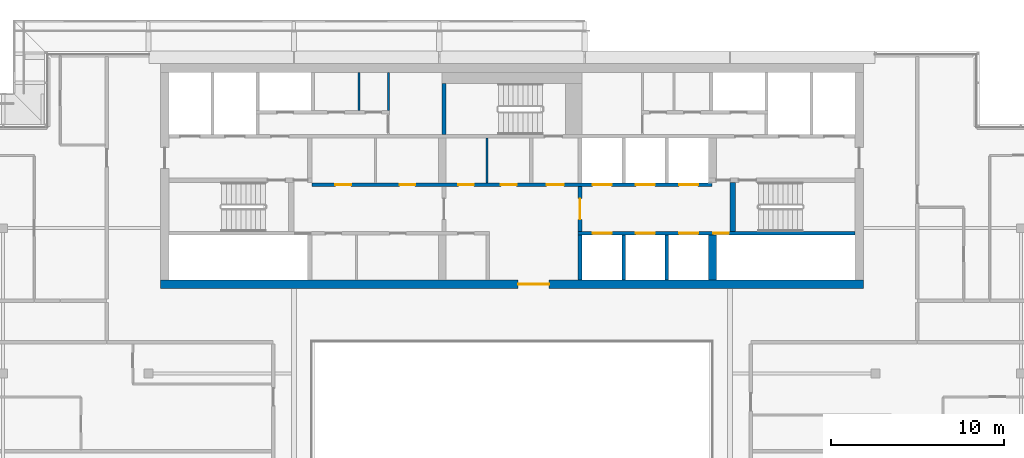
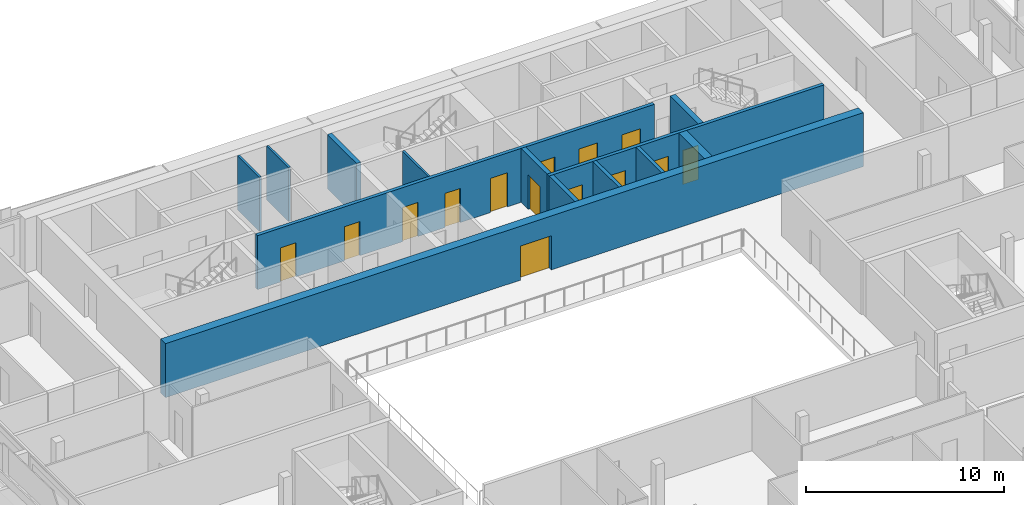
# One storey, part 18 of 26: 14 doors, 13 walls, 14 openings.
"""IFC4 building model written with IfcOpenShell, lengths in metres."""

from ifc_helpers import new_model, si_unit, direction, frame, frame_2d, origin, place, context, subcontext, project, spatial, rectangle, extrude, material, layer, layer_set, type_object, element, fill, save


model = new_model("IFC4")

# Units and contexts
model_context = context("Model", 3, precision=1e-05, world=origin(), true_north=direction((0.0, 1.0)))
body_context = subcontext(model_context, "Body", "Model", "MODEL_VIEW")
ifc_project = project(units=[si_unit("LENGTHUNIT", "METRE"), si_unit("AREAUNIT", "SQUARE_METRE"), si_unit("VOLUMEUNIT", "CUBIC_METRE"), si_unit("PLANEANGLEUNIT", "RADIAN"), si_unit("MASSUNIT", "GRAM", prefix="KILO")], contexts=[model_context])

# Site, building, storey
site_placement = place(None, origin())
site = spatial("IfcSite", under=ifc_project, at=site_placement, CompositionType="ELEMENT")
building_placement = place(site_placement, origin())
building = spatial("IfcBuilding", under=site, at=building_placement, Name="Saffron Gate Tower", CompositionType="ELEMENT")
storey_placement = place(building_placement, frame((0.0, 0.0, 277.949951171875)))
storey = spatial("IfcBuildingStorey", under=building, at=storey_placement, Name="L67", CompositionType="ELEMENT", Elevation=277.949951171875)

# Wall, opening, door
ifc_material_1 = material(Name="Concrete C50", Category="concrete")
ifc_layer_1 = layer(ifc_material_1, 0.5)
ifc_layer_set_1 = layer_set([ifc_layer_1], Name="CW22 RC core wall 500 C50")
wall_type_1 = type_object("IfcWallType", Name="CW22 RC core wall 500 C50", PredefinedType="SOLIDWALL", material=ifc_layer_set_1)
wall_1_placement = place(storey_placement, frame((67.300048828125, 62.14990234375, 0.0), z_axis=(0.0, 0.0, 1.0), x_axis=(1.0, 0.0, 0.0)))
wall_1 = element("IfcWall", 1, at=wall_1_placement, inside=storey, type_object=wall_type_1, Name="Wall CW22-L67-1", PredefinedType="SOLIDWALL", context=body_context, shape_type="SweptSolid", body=[
    extrude(rectangle(XDim=40.599853515625, YDim=0.5, at=frame_2d((20.2998046875, 0.0))), origin(), (0.0, 0.0, 1.0), 3.320068359375),
])
opening_1_placement = place(wall_1_placement, frame((20.64990234375, 0.0, 0.0)))
opening_1 = element("IfcOpeningElement", 2, at=opening_1_placement, cuts=wall_1, Name="Opening CR-09", PredefinedType="OPENING", context=body_context, shape_type="SweptSolid", body=[
    extrude(rectangle(XDim=1.800048828125, YDim=2.10009765625, at=frame_2d((0.89990234375, 1.050048828125))), frame((0.0, 0.260009765625, 0.0), z_axis=(0.0, -1.0, 0.0), x_axis=(1.0, 0.0, 0.0)), (0.0, 0.0, 1.0), 0.52001953125),
])
ifc_material_2 = material(Name="Steel fire door set", Category="steel")
door_type_1 = type_object("IfcDoorType", Name="CD1 Core entrance door 1800x2100 EI 120", OperationType="NOTDEFINED", PredefinedType="DOOR", material=ifc_material_2)
door_1_placement = place(opening_1_placement, origin())
door_1 = element("IfcDoor", 3, at=door_1_placement, inside=storey, type_object=door_type_1, Name="DOOR CR-09", OperationType="DOUBLE_DOOR_SINGLE_SWING", OverallHeight=2.10009765625, OverallWidth=1.800048828125, PredefinedType="DOOR", context=body_context, shape_type="SweptSolid", body=[
    extrude(rectangle(XDim=1.800048828125, YDim=2.10009765625, at=frame_2d((0.89990234375, 1.050048828125))), frame((0.0, 0.02490234375, 0.0), z_axis=(0.0, -1.0, 0.0), x_axis=(1.0, 0.0, 0.0)), (0.0, 0.0, 1.0), 0.050048828125),
])
fill(opening_1, door_1)

# Wall
ifc_layer_2 = layer(ifc_material_1, 0.25)
ifc_layer_set_2 = layer_set([ifc_layer_2], Name="CW23 RC core wall 250 C50")
wall_type_2 = type_object("IfcWallType", Name="CW23 RC core wall 250 C50", PredefinedType="SOLIDWALL", material=ifc_layer_set_2)
wall_2_placement = place(storey_placement, frame((91.52490234375, 62.39990234375, 0.0), z_axis=(0.0, 0.0, 1.0), x_axis=(0.0, 1.0, 0.0)))
element("IfcWall", 4, at=wall_2_placement, inside=storey, type_object=wall_type_2, Name="Wall CW23-L67-9", PredefinedType="SOLIDWALL", context=body_context, shape_type="SweptSolid", body=[
    extrude(rectangle(XDim=2.60009765625, YDim=0.25, at=frame_2d((1.300048828125, 0.0))), origin(), (0.0, 0.0, 1.0), 3.320068359375),
])

# Wall, opening, door
wall_3_placement = place(storey_placement, frame((91.52490234375, 65.199951171875, 0.0), z_axis=(0.0, 0.0, 1.0), x_axis=(0.0, 1.0, 0.0)))
wall_3 = element("IfcWall", 5, at=wall_3_placement, inside=storey, type_object=wall_type_2, Name="Wall CW23-L67-17", PredefinedType="SOLIDWALL", context=body_context, shape_type="SweptSolid", body=[
    extrude(rectangle(XDim=2.60009765625, YDim=0.25, at=frame_2d((1.300048828125, 0.0))), origin(), (0.0, 0.0, 1.0), 3.320068359375),
])
opening_2_placement = place(wall_3_placement, frame((0.699951171875, 0.0, 0.0)))
opening_2 = element("IfcOpeningElement", 6, at=opening_2_placement, cuts=wall_3, Name="Opening CR-01", PredefinedType="OPENING", context=body_context, shape_type="SweptSolid", body=[
    extrude(rectangle(XDim=1.199951171875, YDim=2.10009765625, at=frame_2d((0.60009765625, 1.050048828125))), frame((0.0, 0.135009765625, 0.0), z_axis=(0.0, -1.0, 0.0), x_axis=(1.0, 0.0, 0.0)), (0.0, 0.0, 1.0), 0.27001953125),
])
door_type_2 = type_object("IfcDoorType", Name="CD3 Lobby door 1200x2100 EI 120", OperationType="NOTDEFINED", PredefinedType="DOOR", material=ifc_material_2)
door_2_placement = place(opening_2_placement, origin())
door_2 = element("IfcDoor", 7, at=door_2_placement, inside=storey, type_object=door_type_2, Name="DOOR CR-01", OperationType="SINGLE_SWING_RIGHT", OverallHeight=2.10009765625, OverallWidth=1.199951171875, PredefinedType="DOOR", context=body_context, shape_type="SweptSolid", body=[
    extrude(rectangle(XDim=1.199951171875, YDim=2.10009765625, at=frame_2d((0.60009765625, 1.050048828125))), frame((0.0, 0.02490234375, 0.0), z_axis=(0.0, -1.0, 0.0), x_axis=(1.0, 0.0, 0.0)), (0.0, 0.0, 1.0), 0.050048828125),
])
fill(opening_2, door_2)

# Walls
wall_4_placement = place(storey_placement, frame((83.675048828125, 70.800048828125, 0.0), z_axis=(0.0, 0.0, 1.0), x_axis=(0.0, 1.0, 0.0)))
element("IfcWall", 8, at=wall_4_placement, inside=storey, type_object=wall_type_2, Name="Wall CW23-L67-36", PredefinedType="SOLIDWALL", context=body_context, shape_type="SweptSolid", body=[
    extrude(rectangle(XDim=2.949951171875, YDim=0.25, at=frame_2d((1.47509765625, 0.0))), origin(), (0.0, 0.0, 1.0), 3.320068359375),
])
ifc_layer_3 = layer(ifc_material_1, 0.449951171875)
ifc_layer_set_3 = layer_set([ifc_layer_3], Name="CW24 RC core wall 450 C50")
wall_type_3 = type_object("IfcWallType", Name="CW24 RC core wall 450 C50", PredefinedType="SOLIDWALL", material=ifc_layer_set_3)
wall_5_placement = place(storey_placement, frame((99.175048828125, 62.39990234375, 0.0), z_axis=(0.0, 0.0, 1.0), x_axis=(0.0, 1.0, 0.0)))
element("IfcWall", 9, at=wall_5_placement, inside=storey, type_object=wall_type_3, Name="Wall CW24-L67-12", PredefinedType="SOLIDWALL", context=body_context, shape_type="SweptSolid", body=[
    extrude(rectangle(XDim=2.60009765625, YDim=0.449951171875, at=frame_2d((1.300048828125, 0.0))), origin(), (0.0, 0.0, 1.0), 3.320068359375),
])
ifc_layer_4 = layer(ifc_material_1, 0.199951171875)
ifc_layer_set_4 = layer_set([ifc_layer_4], Name="CW25 RC core wall 200 C50")
wall_type_4 = type_object("IfcWallType", Name="CW25 RC core wall 200 C50", PredefinedType="SOLIDWALL", material=ifc_layer_set_4)
for number, where, z_axis, x_axis, name in (
    (10, (94.050048828125, 62.39990234375, 0.0), (0.0, 0.0, 1.0), (0.0, 1.0, 0.0), "Wall CW25-L67-10"),
    (11, (96.550048828125, 62.39990234375, 0.0), (0.0, 0.0, 1.0), (0.0, 1.0, 0.0), "Wall CW25-L67-11"),
):
    element("IfcWall", number, at=place(storey_placement, frame(where, z_axis=z_axis, x_axis=x_axis)), inside=storey, type_object=wall_type_4, Name=name, PredefinedType="SOLIDWALL", context=body_context, shape_type="SweptSolid", body=[
        extrude(rectangle(XDim=2.60009765625, YDim=0.199951171875, at=frame_2d((1.300048828125, 0.0))), origin(), (0.0, 0.0, 1.0), 3.320068359375),
    ])

# Wall, openings, doors
wall_6_placement = place(storey_placement, frame((91.39990234375, 65.10009765625, 0.0), z_axis=(0.0, 0.0, 1.0), x_axis=(1.0, 0.0, 0.0)))
wall_6 = element("IfcWall", 12, at=wall_6_placement, inside=storey, type_object=wall_type_4, Name="Wall CW25-L67-14", PredefinedType="SOLIDWALL", context=body_context, shape_type="SweptSolid", body=[
    extrude(rectangle(XDim=16.0, YDim=0.199951171875, at=frame_2d((8.0, 0.0))), origin(), (0.0, 0.0, 1.0), 3.320068359375),
])
opening_3_placement = place(wall_6_placement, frame((0.85009765625, 0.0, 0.0)))
opening_3 = element("IfcOpeningElement", 13, at=opening_3_placement, cuts=wall_6, Name="Opening LD-HR1", PredefinedType="OPENING", context=body_context, shape_type="SweptSolid", body=[
    extrude(rectangle(XDim=1.10009765625, YDim=2.10009765625, at=frame_2d((0.550048828125, 1.050048828125))), frame((0.0, 0.10986328125, 0.0), z_axis=(0.0, -1.0, 0.0), x_axis=(1.0, 0.0, 0.0)), (0.0, 0.0, 1.0), 0.219970703125),
])
opening_4_placement = place(wall_6_placement, frame((3.35009765625, 0.0, 0.0)))
opening_4 = element("IfcOpeningElement", 14, at=opening_4_placement, cuts=wall_6, Name="Opening LD-HR2", PredefinedType="OPENING", context=body_context, shape_type="SweptSolid", body=[
    extrude(rectangle(XDim=1.10009765625, YDim=2.10009765625, at=frame_2d((0.550048828125, 1.050048828125))), frame((0.0, 0.10986328125, 0.0), z_axis=(0.0, -1.0, 0.0), x_axis=(1.0, 0.0, 0.0)), (0.0, 0.0, 1.0), 0.219970703125),
])
opening_5_placement = place(wall_6_placement, frame((5.85009765625, 0.0, 0.0)))
opening_5 = element("IfcOpeningElement", 15, at=opening_5_placement, cuts=wall_6, Name="Opening LD-HR3", PredefinedType="OPENING", context=body_context, shape_type="SweptSolid", body=[
    extrude(rectangle(XDim=1.10009765625, YDim=2.10009765625, at=frame_2d((0.550048828125, 1.050048828125))), frame((0.0, 0.10986328125, 0.0), z_axis=(0.0, -1.0, 0.0), x_axis=(1.0, 0.0, 0.0)), (0.0, 0.0, 1.0), 0.219970703125),
])
opening_6_placement = place(wall_6_placement, frame((7.830078125, 0.0, 0.0)))
opening_6 = element("IfcOpeningElement", 16, at=opening_6_placement, cuts=wall_6, Name="Opening CR-48", PredefinedType="OPENING", context=body_context, shape_type="SweptSolid", body=[
    extrude(rectangle(XDim=0.89990234375, YDim=2.10009765625, at=frame_2d((0.449951171875, 1.050048828125))), frame((0.0, 0.10986328125, 0.0), z_axis=(0.0, -1.0, 0.0), x_axis=(1.0, 0.0, 0.0)), (0.0, 0.0, 1.0), 0.219970703125),
])
door_type_3 = type_object("IfcDoorType", Name="CD2 Riser door 900x2100 EI 60", OperationType="NOTDEFINED", PredefinedType="DOOR", material=ifc_material_2)
door_3_placement = place(opening_6_placement, origin())
door_3 = element("IfcDoor", 17, at=door_3_placement, inside=storey, type_object=door_type_3, Name="DOOR CR-48", OperationType="SINGLE_SWING_RIGHT", OverallHeight=2.10009765625, OverallWidth=0.89990234375, PredefinedType="DOOR", context=body_context, shape_type="SweptSolid", body=[
    extrude(rectangle(XDim=0.89990234375, YDim=2.10009765625, at=frame_2d((0.449951171875, 1.050048828125))), frame((0.0, 0.02490234375, 0.0), z_axis=(0.0, -1.0, 0.0), x_axis=(1.0, 0.0, 0.0)), (0.0, 0.0, 1.0), 0.050048828125),
])
fill(opening_6, door_3)
ifc_material_3 = material(Name="Stainless steel landing door", Category="steel")
door_type_4 = type_object("IfcDoorType", Name="LD Lift landing door 1100x2100 EI 120", OperationType="SLIDING_TO_LEFT", PredefinedType="DOOR", material=ifc_material_3)
door_4_placement = place(opening_3_placement, origin())
door_4 = element("IfcDoor", 18, at=door_4_placement, inside=storey, type_object=door_type_4, Name="LANDING DOOR LD-HR1", OperationType="SLIDING_TO_LEFT", OverallHeight=2.10009765625, OverallWidth=1.10009765625, PredefinedType="DOOR", context=body_context, shape_type="SweptSolid", body=[
    extrude(rectangle(XDim=1.10009765625, YDim=2.10009765625, at=frame_2d((0.550048828125, 1.050048828125))), frame((0.0, 0.02490234375, 0.0), z_axis=(0.0, -1.0, 0.0), x_axis=(1.0, 0.0, 0.0)), (0.0, 0.0, 1.0), 0.050048828125),
])
fill(opening_3, door_4)
door_5_placement = place(opening_4_placement, origin())
door_5 = element("IfcDoor", 19, at=door_5_placement, inside=storey, type_object=door_type_4, Name="LANDING DOOR LD-HR2", OperationType="SLIDING_TO_LEFT", OverallHeight=2.10009765625, OverallWidth=1.10009765625, PredefinedType="DOOR", context=body_context, shape_type="SweptSolid", body=[
    extrude(rectangle(XDim=1.10009765625, YDim=2.10009765625, at=frame_2d((0.550048828125, 1.050048828125))), frame((0.0, 0.02490234375, 0.0), z_axis=(0.0, -1.0, 0.0), x_axis=(1.0, 0.0, 0.0)), (0.0, 0.0, 1.0), 0.050048828125),
])
fill(opening_4, door_5)
door_6_placement = place(opening_5_placement, origin())
door_6 = element("IfcDoor", 20, at=door_6_placement, inside=storey, type_object=door_type_4, Name="LANDING DOOR LD-HR3", OperationType="SLIDING_TO_LEFT", OverallHeight=2.10009765625, OverallWidth=1.10009765625, PredefinedType="DOOR", context=body_context, shape_type="SweptSolid", body=[
    extrude(rectangle(XDim=1.10009765625, YDim=2.10009765625, at=frame_2d((0.550048828125, 1.050048828125))), frame((0.0, 0.02490234375, 0.0), z_axis=(0.0, -1.0, 0.0), x_axis=(1.0, 0.0, 0.0)), (0.0, 0.0, 1.0), 0.050048828125),
])
fill(opening_5, door_6)

wall_7_placement = place(storey_placement, frame((76.050048828125, 67.89990234375, 0.0), z_axis=(0.0, 0.0, 1.0), x_axis=(1.0, 0.0, 0.0)))
wall_7 = element("IfcWall", 21, at=wall_7_placement, inside=storey, type_object=wall_type_4, Name="Wall CW25-L67-19", PredefinedType="SOLIDWALL", context=body_context, shape_type="SweptSolid", body=[
    extrude(rectangle(XDim=23.099853515625, YDim=0.199951171875, at=frame_2d((11.5498046875, 0.0))), origin(), (0.0, 0.0, 1.0), 3.320068359375),
])
opening_7_placement = place(wall_7_placement, frame((1.35009765625, 0.0, 0.0)))
opening_7 = element("IfcOpeningElement", 22, at=opening_7_placement, cuts=wall_7, Name="Opening CR-61", PredefinedType="OPENING", context=body_context, shape_type="SweptSolid", body=[
    extrude(rectangle(XDim=0.89990234375, YDim=2.10009765625, at=frame_2d((0.449951171875, 1.050048828125))), frame((0.0, 0.10986328125, 0.0), z_axis=(0.0, -1.0, 0.0), x_axis=(1.0, 0.0, 0.0)), (0.0, 0.0, 1.0), 0.219970703125),
])
opening_8_placement = place(wall_7_placement, frame((5.06005859375, 0.0, 0.0)))
opening_8 = element("IfcOpeningElement", 23, at=opening_8_placement, cuts=wall_7, Name="Opening CR-62", PredefinedType="OPENING", context=body_context, shape_type="SweptSolid", body=[
    extrude(rectangle(XDim=0.89990234375, YDim=2.10009765625, at=frame_2d((0.449951171875, 1.050048828125))), frame((0.0, 0.10986328125, 0.0), z_axis=(0.0, -1.0, 0.0), x_axis=(1.0, 0.0, 0.0)), (0.0, 0.0, 1.0), 0.219970703125),
])
opening_9_placement = place(wall_7_placement, frame((8.449951171875, 0.0, 0.0)))
opening_9 = element("IfcOpeningElement", 24, at=opening_9_placement, cuts=wall_7, Name="Opening CR-67", PredefinedType="OPENING", context=body_context, shape_type="SweptSolid", body=[
    extrude(rectangle(XDim=0.89990234375, YDim=2.10009765625, at=frame_2d((0.449951171875, 1.050048828125))), frame((0.0, 0.10986328125, 0.0), z_axis=(0.0, -1.0, 0.0), x_axis=(1.0, 0.0, 0.0)), (0.0, 0.0, 1.0), 0.219970703125),
])
opening_10_placement = place(wall_7_placement, frame((10.909912109375, 0.0, 0.0)))
opening_10 = element("IfcOpeningElement", 25, at=opening_10_placement, cuts=wall_7, Name="Opening CR-68", PredefinedType="OPENING", context=body_context, shape_type="SweptSolid", body=[
    extrude(rectangle(XDim=0.89990234375, YDim=2.10009765625, at=frame_2d((0.449951171875, 1.050048828125))), frame((0.0, 0.10986328125, 0.0), z_axis=(0.0, -1.0, 0.0), x_axis=(1.0, 0.0, 0.0)), (0.0, 0.0, 1.0), 0.219970703125),
])
opening_11_placement = place(wall_7_placement, frame((13.550048828125, 0.0, 0.0)))
opening_11 = element("IfcOpeningElement", 26, at=opening_11_placement, cuts=wall_7, Name="Opening CR-02", PredefinedType="OPENING", context=body_context, shape_type="SweptSolid", body=[
    extrude(rectangle(XDim=1.0, YDim=2.10009765625, at=frame_2d((0.5, 1.050048828125))), frame((0.0, 0.10986328125, 0.0), z_axis=(0.0, -1.0, 0.0), x_axis=(1.0, 0.0, 0.0)), (0.0, 0.0, 1.0), 0.219970703125),
])
opening_12_placement = place(wall_7_placement, frame((16.199951171875, 0.0, 0.0)))
opening_12 = element("IfcOpeningElement", 27, at=opening_12_placement, cuts=wall_7, Name="Opening LD-HR4", PredefinedType="OPENING", context=body_context, shape_type="SweptSolid", body=[
    extrude(rectangle(XDim=1.10009765625, YDim=2.10009765625, at=frame_2d((0.550048828125, 1.050048828125))), frame((0.0, 0.10986328125, 0.0), z_axis=(0.0, -1.0, 0.0), x_axis=(1.0, 0.0, 0.0)), (0.0, 0.0, 1.0), 0.219970703125),
])
opening_13_placement = place(wall_7_placement, frame((18.699951171875, 0.0, 0.0)))
opening_13 = element("IfcOpeningElement", 28, at=opening_13_placement, cuts=wall_7, Name="Opening LD-HR5", PredefinedType="OPENING", context=body_context, shape_type="SweptSolid", body=[
    extrude(rectangle(XDim=1.10009765625, YDim=2.10009765625, at=frame_2d((0.550048828125, 1.050048828125))), frame((0.0, 0.10986328125, 0.0), z_axis=(0.0, -1.0, 0.0), x_axis=(1.0, 0.0, 0.0)), (0.0, 0.0, 1.0), 0.219970703125),
])
opening_14_placement = place(wall_7_placement, frame((21.199951171875, 0.0, 0.0)))
opening_14 = element("IfcOpeningElement", 29, at=opening_14_placement, cuts=wall_7, Name="Opening LD-HR6", PredefinedType="OPENING", context=body_context, shape_type="SweptSolid", body=[
    extrude(rectangle(XDim=1.10009765625, YDim=2.10009765625, at=frame_2d((0.550048828125, 1.050048828125))), frame((0.0, 0.10986328125, 0.0), z_axis=(0.0, -1.0, 0.0), x_axis=(1.0, 0.0, 0.0)), (0.0, 0.0, 1.0), 0.219970703125),
])
door_type_5 = type_object("IfcDoorType", Name="CD4 Lobby door 1000x2100 EI 120", OperationType="NOTDEFINED", PredefinedType="DOOR", material=ifc_material_2)
door_7_placement = place(opening_11_placement, origin())
door_7 = element("IfcDoor", 30, at=door_7_placement, inside=storey, type_object=door_type_5, Name="DOOR CR-02", OperationType="SINGLE_SWING_LEFT", OverallHeight=2.10009765625, OverallWidth=1.0, PredefinedType="DOOR", context=body_context, shape_type="SweptSolid", body=[
    extrude(rectangle(XDim=1.0, YDim=2.10009765625, at=frame_2d((0.5, 1.050048828125))), frame((0.0, 0.02490234375, 0.0), z_axis=(0.0, -1.0, 0.0), x_axis=(1.0, 0.0, 0.0)), (0.0, 0.0, 1.0), 0.050048828125),
])
fill(opening_11, door_7)
door_type_6 = type_object("IfcDoorType", Name="CD9 Room door 900x2100 EI 60", OperationType="NOTDEFINED", PredefinedType="DOOR", material=ifc_material_2)
door_8_placement = place(opening_7_placement, origin())
door_8 = element("IfcDoor", 31, at=door_8_placement, inside=storey, type_object=door_type_6, Name="DOOR CR-61", OperationType="SINGLE_SWING_LEFT", OverallHeight=2.10009765625, OverallWidth=0.89990234375, PredefinedType="DOOR", context=body_context, shape_type="SweptSolid", body=[
    extrude(rectangle(XDim=0.89990234375, YDim=2.10009765625, at=frame_2d((0.449951171875, 1.050048828125))), frame((0.0, 0.02490234375, 0.0), z_axis=(0.0, -1.0, 0.0), x_axis=(1.0, 0.0, 0.0)), (0.0, 0.0, 1.0), 0.050048828125),
])
fill(opening_7, door_8)
door_9_placement = place(opening_8_placement, origin())
door_9 = element("IfcDoor", 32, at=door_9_placement, inside=storey, type_object=door_type_6, Name="DOOR CR-62", OperationType="SINGLE_SWING_LEFT", OverallHeight=2.10009765625, OverallWidth=0.89990234375, PredefinedType="DOOR", context=body_context, shape_type="SweptSolid", body=[
    extrude(rectangle(XDim=0.89990234375, YDim=2.10009765625, at=frame_2d((0.449951171875, 1.050048828125))), frame((0.0, 0.02490234375, 0.0), z_axis=(0.0, -1.0, 0.0), x_axis=(1.0, 0.0, 0.0)), (0.0, 0.0, 1.0), 0.050048828125),
])
fill(opening_8, door_9)
door_10_placement = place(opening_9_placement, origin())
door_10 = element("IfcDoor", 33, at=door_10_placement, inside=storey, type_object=door_type_6, Name="DOOR CR-67", OperationType="SINGLE_SWING_LEFT", OverallHeight=2.10009765625, OverallWidth=0.89990234375, PredefinedType="DOOR", context=body_context, shape_type="SweptSolid", body=[
    extrude(rectangle(XDim=0.89990234375, YDim=2.10009765625, at=frame_2d((0.449951171875, 1.050048828125))), frame((0.0, 0.02490234375, 0.0), z_axis=(0.0, -1.0, 0.0), x_axis=(1.0, 0.0, 0.0)), (0.0, 0.0, 1.0), 0.050048828125),
])
fill(opening_9, door_10)
door_11_placement = place(opening_10_placement, origin())
door_11 = element("IfcDoor", 34, at=door_11_placement, inside=storey, type_object=door_type_6, Name="DOOR CR-68", OperationType="SINGLE_SWING_LEFT", OverallHeight=2.10009765625, OverallWidth=0.89990234375, PredefinedType="DOOR", context=body_context, shape_type="SweptSolid", body=[
    extrude(rectangle(XDim=0.89990234375, YDim=2.10009765625, at=frame_2d((0.449951171875, 1.050048828125))), frame((0.0, 0.02490234375, 0.0), z_axis=(0.0, -1.0, 0.0), x_axis=(1.0, 0.0, 0.0)), (0.0, 0.0, 1.0), 0.050048828125),
])
fill(opening_10, door_11)
door_12_placement = place(opening_12_placement, origin())
door_12 = element("IfcDoor", 35, at=door_12_placement, inside=storey, type_object=door_type_4, Name="LANDING DOOR LD-HR4", OperationType="SLIDING_TO_RIGHT", OverallHeight=2.10009765625, OverallWidth=1.10009765625, PredefinedType="DOOR", context=body_context, shape_type="SweptSolid", body=[
    extrude(rectangle(XDim=1.10009765625, YDim=2.10009765625, at=frame_2d((0.550048828125, 1.050048828125))), frame((0.0, 0.02490234375, 0.0), z_axis=(0.0, -1.0, 0.0), x_axis=(1.0, 0.0, 0.0)), (0.0, 0.0, 1.0), 0.050048828125),
])
fill(opening_12, door_12)
door_13_placement = place(opening_13_placement, origin())
door_13 = element("IfcDoor", 36, at=door_13_placement, inside=storey, type_object=door_type_4, Name="LANDING DOOR LD-HR5", OperationType="SLIDING_TO_RIGHT", OverallHeight=2.10009765625, OverallWidth=1.10009765625, PredefinedType="DOOR", context=body_context, shape_type="SweptSolid", body=[
    extrude(rectangle(XDim=1.10009765625, YDim=2.10009765625, at=frame_2d((0.550048828125, 1.050048828125))), frame((0.0, 0.02490234375, 0.0), z_axis=(0.0, -1.0, 0.0), x_axis=(1.0, 0.0, 0.0)), (0.0, 0.0, 1.0), 0.050048828125),
])
fill(opening_13, door_13)
door_14_placement = place(opening_14_placement, origin())
door_14 = element("IfcDoor", 37, at=door_14_placement, inside=storey, type_object=door_type_4, Name="LANDING DOOR LD-HR6", OperationType="SLIDING_TO_RIGHT", OverallHeight=2.10009765625, OverallWidth=1.10009765625, PredefinedType="DOOR", context=body_context, shape_type="SweptSolid", body=[
    extrude(rectangle(XDim=1.10009765625, YDim=2.10009765625, at=frame_2d((0.550048828125, 1.050048828125))), frame((0.0, 0.02490234375, 0.0), z_axis=(0.0, -1.0, 0.0), x_axis=(1.0, 0.0, 0.0)), (0.0, 0.0, 1.0), 0.050048828125),
])
fill(opening_14, door_14)

# Walls
ifc_layer_5 = layer(ifc_material_1, 0.300048828125)
ifc_layer_set_5 = layer_set([ifc_layer_5], Name="CW26 RC core wall 300 C50")
wall_type_5 = type_object("IfcWallType", Name="CW26 RC core wall 300 C50", PredefinedType="SOLIDWALL", material=ifc_layer_set_5)
wall_8_placement = place(storey_placement, frame((100.35009765625, 65.199951171875, 0.0), z_axis=(0.0, 0.0, 1.0), x_axis=(0.0, 1.0, 0.0)))
element("IfcWall", 38, at=wall_8_placement, inside=storey, type_object=wall_type_5, Name="Wall CW26-L67-18", PredefinedType="SOLIDWALL", context=body_context, shape_type="SweptSolid", body=[
    extrude(rectangle(XDim=2.85009765625, YDim=0.300048828125, at=frame_2d((1.425048828125, 0.0))), origin(), (0.0, 0.0, 1.0), 3.320068359375),
])
ifc_material_4 = material(Name="Gypsum board partition on steel studs", Category="steel")
ifc_layer_6 = layer(ifc_material_4, 0.1201171875)
ifc_layer_set_6 = layer_set([ifc_layer_6], Name="CW8 Core partition 120")
wall_type_6 = type_object("IfcWallType", Name="CW8 Core partition 120", PredefinedType="PARTITIONING", material=ifc_layer_set_6)
wall_9_placement = place(storey_placement, frame((86.159912109375, 68.0, 0.0), z_axis=(0.0, 0.0, 1.0), x_axis=(0.0, 1.0, 0.0)))
element("IfcWall", 39, at=wall_9_placement, inside=storey, type_object=wall_type_6, Name="Wall CW8-L67-22", PredefinedType="PARTITIONING", context=body_context, shape_type="SweptSolid", body=[
    extrude(rectangle(XDim=2.60009765625, YDim=0.1201171875, at=frame_2d((1.300048828125, 0.0))), origin(), (0.0, 0.0, 1.0), 3.320068359375),
])
for number, where, z_axis, x_axis, name in (
    (40, (78.760009765625, 72.199951171875, 0.0), (0.0, 0.0, 1.0), (0.0, 1.0, 0.0), "Wall CW8-L67-45"),
    (41, (80.4599609375, 72.199951171875, 0.0), (0.0, 0.0, 1.0), (0.0, 1.0, 0.0), "Wall CW8-L67-46"),
):
    element("IfcWall", number, at=place(storey_placement, frame(where, z_axis=z_axis, x_axis=x_axis)), inside=storey, type_object=wall_type_6, Name=name, PredefinedType="PARTITIONING", context=body_context, shape_type="SweptSolid", body=[
        extrude(rectangle(XDim=2.199951171875, YDim=0.1201171875, at=frame_2d((1.10009765625, 0.0))), origin(), (0.0, 0.0, 1.0), 3.320068359375),
    ])

save(model, "model.ifc")
